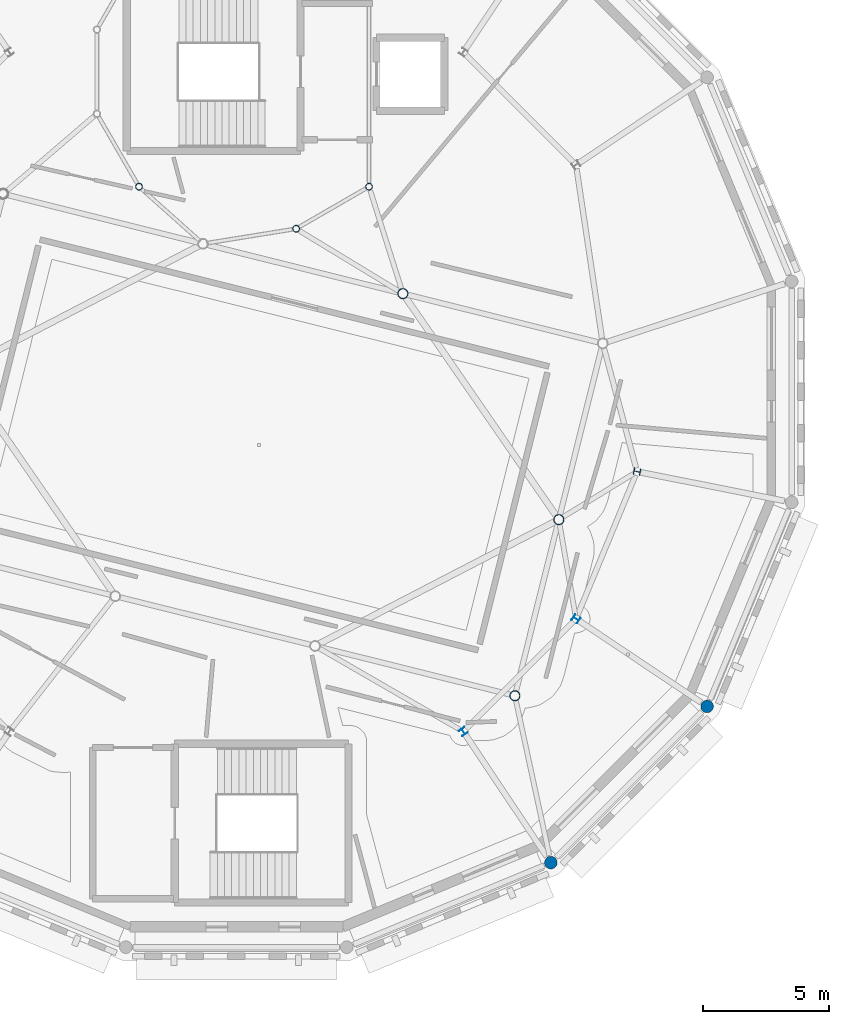
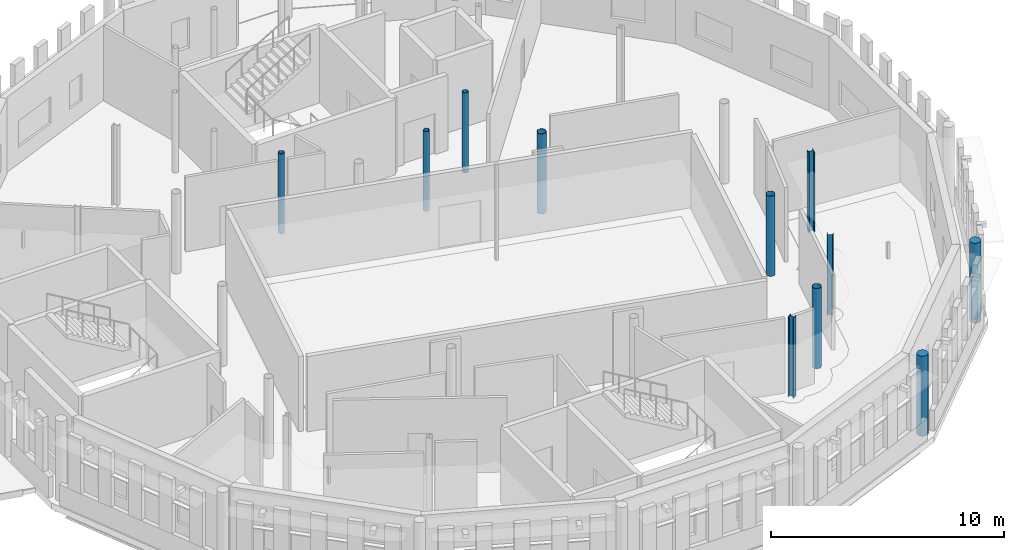
# One storey, part 12 of 90: 11 columns.
"""IFC4 building model written with IfcOpenShell, lengths in metres."""

from ifc_helpers import new_model, si_unit, direction, frame, origin, origin_2d, place, context, subcontext, project, spatial, circle, hollow_circle, i_section, extrude, material, material_profile, profile_set, type_object, element, save


model = new_model("IFC4")

# Units and contexts
model_context = context("Model", 3, precision=1e-05, world=origin(), true_north=direction((0.0, 1.0)))
body_context = subcontext(model_context, "Body", "Model", "MODEL_VIEW")
ifc_project = project(units=[si_unit("LENGTHUNIT", "METRE"), si_unit("AREAUNIT", "SQUARE_METRE"), si_unit("VOLUMEUNIT", "CUBIC_METRE"), si_unit("PLANEANGLEUNIT", "RADIAN"), si_unit("MASSUNIT", "GRAM", prefix="KILO")], contexts=[model_context])

# Site, building, storey
site_placement = place(None, origin())
site = spatial("IfcSite", under=ifc_project, at=site_placement, CompositionType="ELEMENT")
building_placement = place(site_placement, origin())
building = spatial("IfcBuilding", under=site, at=building_placement, Name="Wrenclough Park School", CompositionType="ELEMENT")
storey_placement = place(building_placement, frame((0.0, 0.0, 8.39990234375)))
storey = spatial("IfcBuildingStorey", under=building, at=storey_placement, Name="L02", CompositionType="ELEMENT", Elevation=8.39990234375)

# Columns
ifc_material_1 = material(Name="Structural steel S355", Category="steel")
ifc_material_profile_1 = material_profile(ifc_material_1, hollow_circle(Radius=0.136474609375, WallThickness=0.012451171875, at=origin_2d()), Name="CHS 273.0x12.5")
ifc_profile_set_1 = profile_set([ifc_material_profile_1], Name="Structural steel S355")
column_type_1 = type_object("IfcColumnType", Name="STR-COL-CHS273", PredefinedType="COLUMN", material=ifc_profile_set_1)
for number, where, z_axis, x_axis, name in (
    (1, (151.63916015625, 34.63916015625, 0.0), (0.0, 0.0, 1.0), (0.707106781187, -0.707106781187, 0.0), "D1-SH L02 column D1SH-08"),
    (2, (157.869384765625, 32.9697265625, 0.0), (0.0, 0.0, 1.0), (0.965925826289, 0.258819045103, 0.0), "D1-SH L02 column D1SH-10"),
    (3, (160.7607421875, 34.63916015625, 0.0), (0.0, 0.0, 1.0), (0.707106781187, 0.707106781187, 0.0), "D1-SH L02 column D1SH-11"),
):
    element("IfcColumn", number, at=place(storey_placement, frame(where, z_axis=z_axis, x_axis=x_axis)), inside=storey, type_object=column_type_1, Name=name, PredefinedType="COLUMN", context=body_context, shape_type="SweptSolid", body=[
        extrude(hollow_circle(Radius=0.136474609375, WallThickness=0.012451171875, at=origin_2d()), origin(), (0.0, 0.0, 1.0), 4.2001953125),
    ])
ifc_material_profile_2 = material_profile(ifc_material_1, hollow_circle(Radius=0.203125, WallThickness=0.01611328125, at=origin_2d()), Name="CHS 406.4x16.0")
ifc_profile_set_2 = profile_set([ifc_material_profile_2], Name="Structural steel S355")
column_type_2 = type_object("IfcColumnType", Name="STR-COL-CHS406", PredefinedType="COLUMN", material=ifc_profile_set_2)
for number, where, z_axis, x_axis, name in (
    (4, (162.10400390625, 30.398193359375, 0.0), (0.0, 0.0, 1.0), (0.970295726276, -0.2419218956, 0.0), "D1 L02 column D1HR-2-2"),
    (5, (166.544189453125, 14.4501953125, 0.0), (0.0, 0.0, 1.0), (0.970295726276, -0.2419218956, 0.0), "D1 L02 column D1HR-3-0"),
    (6, (168.2861328125, 21.4365234375, 0.0), (0.0, 0.0, 1.0), (0.970295726276, -0.2419218956, 0.0), "D1 L02 column D1HR-3-1"),
):
    element("IfcColumn", number, at=place(storey_placement, frame(where, z_axis=z_axis, x_axis=x_axis)), inside=storey, type_object=column_type_2, Name=name, PredefinedType="COLUMN", context=body_context, shape_type="SweptSolid", body=[
        extrude(hollow_circle(Radius=0.203125, WallThickness=0.01611328125, at=origin_2d()), origin(), (0.0, 0.0, 1.0), 4.2001953125),
    ])
ifc_material_2 = material(Name="Concrete C40/50", Category="concrete")
ifc_material_profile_3 = material_profile(ifc_material_2, circle(Radius=0.25, at=origin_2d()), Name="RC COL D500")
ifc_profile_set_3 = profile_set([ifc_material_profile_3], Name="Concrete C40/50")
column_type_3 = type_object("IfcColumnType", Name="STR-COL-RCD500", PredefinedType="COLUMN", material=ifc_profile_set_3)
for number, where, z_axis, x_axis, name in (
    (7, (167.97265625, 7.83349609375, 0.0), (0.0, 0.0, 1.0), (0.831469612303, 0.55557023302, 0.0), "D1 L02 column D1-OUT-14"),
    (8, (174.16650390625, 14.02734375, 0.0), (0.0, 0.0, 1.0), (0.55557023302, 0.831469612303, 0.0), "D1 L02 column D1-OUT-15"),
):
    element("IfcColumn", number, at=place(storey_placement, frame(where, z_axis=z_axis, x_axis=x_axis)), inside=storey, type_object=column_type_3, Name=name, PredefinedType="COLUMN", context=body_context, shape_type="SweptSolid", body=[
        extrude(circle(Radius=0.25, at=origin_2d()), origin(), (0.0, 0.0, 1.0), 4.2001953125),
    ])
ifc_material_profile_4 = material_profile(ifc_material_1, i_section(OverallWidth=0.2587890625, OverallDepth=0.2666015625, WebThickness=0.0126953125, FlangeThickness=0.0205078125, FilletRadius=0.0126953125, at=origin_2d()), Name="UKC 254x254x107")
ifc_profile_set_4 = profile_set([ifc_material_profile_4], Name="Structural steel S355")
column_type_4 = type_object("IfcColumnType", Name="STR-COL-UKC254B", PredefinedType="COLUMN", material=ifc_profile_set_4)
for number, where, z_axis, x_axis, name in (
    (9, (164.500244140625, 13.0302734375, 0.0), (0.0, 0.0, 1.0), (0.831469612303, 0.55557023302, 0.0), "D1 L02 column D1-MID-14"),
    (10, (168.9697265625, 17.499755859375, 0.0), (0.0, 0.0, 1.0), (0.55557023302, 0.831469612303, 0.0), "D1 L02 column D1-MID-15"),
    (11, (171.388671875, 23.339599609375, 0.0), (0.0, 0.0, 1.0), (0.195090322016, 0.980785280403, 0.0), "D1 L02 column D1-MID-16"),
):
    element("IfcColumn", number, at=place(storey_placement, frame(where, z_axis=z_axis, x_axis=x_axis)), inside=storey, type_object=column_type_4, Name=name, PredefinedType="COLUMN", context=body_context, shape_type="SweptSolid", body=[
        extrude(i_section(OverallWidth=0.2587890625, OverallDepth=0.2666015625, WebThickness=0.0126953125, FlangeThickness=0.0205078125, FilletRadius=0.0126953125, at=origin_2d()), origin(), (0.0, 0.0, 1.0), 4.2001953125),
    ])

save(model, "model.ifc")
